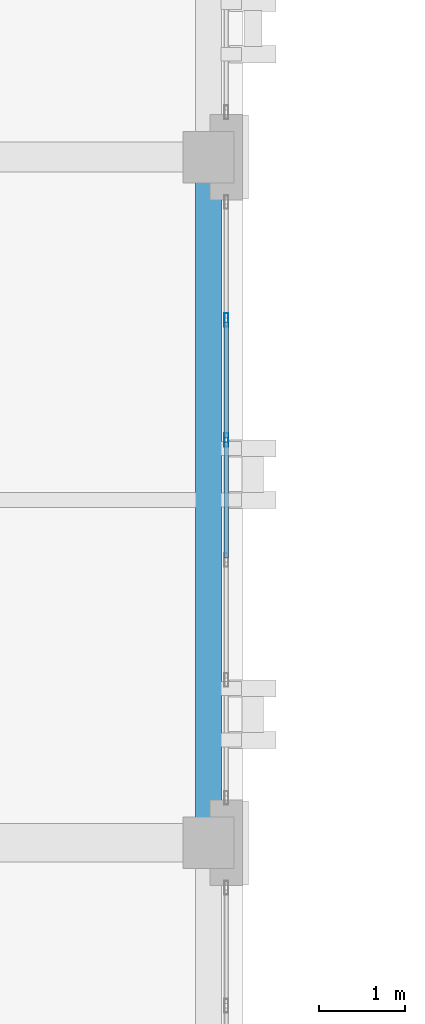
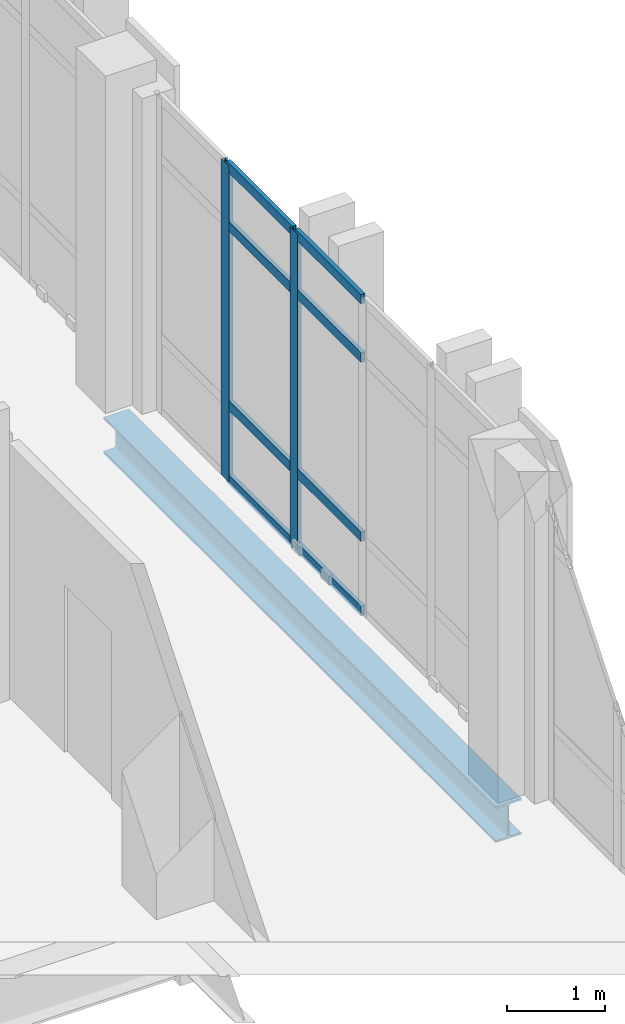
# One storey, part 16 of 90: 10 members, 1 beam, 1 element without a shape of its own.
"""IFC4 building model written with IfcOpenShell, lengths in metres."""

from ifc_helpers import new_model, si_unit, direction, frame, origin, origin_2d, place, context, subcontext, project, spatial, hollow_rectangle, i_section, extrude, material, layer, layer_set, material_profile, profile_set, type_object, element, aggregate, save


model = new_model("IFC4")

# Units and contexts
model_context = context("Model", 3, precision=1e-05, world=origin(), true_north=direction((0.0, 1.0)))
body_context = subcontext(model_context, "Body", "Model", "MODEL_VIEW")
ifc_project = project(units=[si_unit("LENGTHUNIT", "METRE"), si_unit("AREAUNIT", "SQUARE_METRE"), si_unit("VOLUMEUNIT", "CUBIC_METRE"), si_unit("PLANEANGLEUNIT", "RADIAN"), si_unit("MASSUNIT", "GRAM", prefix="KILO")], contexts=[model_context])

# Site, building, storey
site_placement = place(None, origin())
site = spatial("IfcSite", under=ifc_project, at=site_placement, CompositionType="ELEMENT")
building_placement = place(site_placement, origin())
building = spatial("IfcBuilding", under=site, at=building_placement, Name="Qalavern Law Courts", CompositionType="ELEMENT")
storey_placement = place(building_placement, frame((0.0, 0.0, 22.800048828125)))
storey = spatial("IfcBuildingStorey", under=building, at=storey_placement, Name="L05", CompositionType="ELEMENT", Elevation=22.800048828125)

# Curtain wall, members
ifc_material_1 = material(Name="Anodised aluminium and insulated glazing", Category="aluminium")
ifc_layer = layer(ifc_material_1, 0.159912109375)
ifc_layer_set = layer_set([ifc_layer], Name="Anodised aluminium and insulated glazing")
curtain_wall_type = type_object("IfcCurtainWallType", Name="ENV-CW-CHAMB", PredefinedType="USERDEFINED", material=ifc_layer_set)
curtain_wall_placement = place(storey_placement, origin())
curtain_wall = element("IfcCurtainWall", 1, at=curtain_wall_placement, inside=storey, type_object=curtain_wall_type, Name="V3 unitised curtain wall L05 east 4", ObjectType="UNITISED CURTAIN WALL", PredefinedType="USERDEFINED")
ifc_material_2 = material(Name="Anodised aluminium", Category="aluminium")
ifc_material_profile_1 = material_profile(ifc_material_2, hollow_rectangle(XDim=0.048095703125, YDim=0.159912109375, WallThickness=0.00390625, at=origin_2d()), Name="ALU MULLION 48x160")
ifc_profile_set_1 = profile_set([ifc_material_profile_1], Name="Anodised aluminium")
member_type_1 = type_object("IfcMemberType", Name="ENV-CWM-48x160", PredefinedType="MULLION", material=ifc_profile_set_1)
member_1_placement = place(storey_placement, frame((18.607421875, 70.10009765625, 0.0), z_axis=(0.0, 0.0, 1.0), x_axis=(-1.0, 0.0, 0.0)))
member_1 = element("IfcMember", 2, at=member_1_placement, type_object=member_type_1, Name="CW-04 mullion 4", PredefinedType="MULLION", context=body_context, shape_type="SweptSolid", body=[
    extrude(hollow_rectangle(XDim=0.048095703125, YDim=0.159912109375, WallThickness=0.00390625, at=origin_2d()), origin(), (0.0, 0.0, 1.0), 3.929931640625),
])
member_2_placement = place(storey_placement, frame((18.607421875, 71.5, 0.0), z_axis=(0.0, 0.0, 1.0), x_axis=(-1.0, 0.0, 0.0)))
member_2 = element("IfcMember", 3, at=member_2_placement, type_object=member_type_1, Name="CW-04 mullion 5", PredefinedType="MULLION", context=body_context, shape_type="SweptSolid", body=[
    extrude(hollow_rectangle(XDim=0.048095703125, YDim=0.159912109375, WallThickness=0.00390625, at=origin_2d()), origin(), (0.0, 0.0, 1.0), 3.929931640625),
])
ifc_material_profile_2 = material_profile(ifc_material_2, hollow_rectangle(XDim=0.048095703125, YDim=0.1201171875, WallThickness=0.00390625, at=origin_2d()), Name="ALU TRANSOM 48x120")
ifc_profile_set_2 = profile_set([ifc_material_profile_2], Name="Anodised aluminium")
member_type_2 = type_object("IfcMemberType", Name="ENV-CWT-48x120", PredefinedType="USERDEFINED", material=ifc_profile_set_2)
member_3_placement = place(storey_placement, frame((18.607421875, 68.72412109375, 0.02392578125), z_axis=(0.0, 1.0, 0.0), x_axis=(-1.0, 0.0, 0.0)))
member_3 = element("IfcMember", 4, at=member_3_placement, type_object=member_type_2, Name="CW-04 transom 3.1", ObjectType="TRANSOM", PredefinedType="USERDEFINED", context=body_context, shape_type="SweptSolid", body=[
    extrude(hollow_rectangle(XDim=0.048095703125, YDim=0.1201171875, WallThickness=0.00390625, at=origin_2d()), origin(), (0.0, 0.0, 1.0), 1.351806640625),
])
member_4_placement = place(storey_placement, frame((18.607421875, 68.72412109375, 0.949951171875), z_axis=(0.0, 1.0, 0.0), x_axis=(-1.0, 0.0, 0.0)))
member_4 = element("IfcMember", 5, at=member_4_placement, type_object=member_type_2, Name="CW-04 transom 3.2", ObjectType="TRANSOM", PredefinedType="USERDEFINED", context=body_context, shape_type="SweptSolid", body=[
    extrude(hollow_rectangle(XDim=0.048095703125, YDim=0.1201171875, WallThickness=0.00390625, at=origin_2d()), origin(), (0.0, 0.0, 1.0), 1.351806640625),
])
member_5_placement = place(storey_placement, frame((18.607421875, 68.72412109375, 3.179931640625), z_axis=(0.0, 1.0, 0.0), x_axis=(-1.0, 0.0, 0.0)))
member_5 = element("IfcMember", 6, at=member_5_placement, type_object=member_type_2, Name="CW-04 transom 3.3", ObjectType="TRANSOM", PredefinedType="USERDEFINED", context=body_context, shape_type="SweptSolid", body=[
    extrude(hollow_rectangle(XDim=0.048095703125, YDim=0.1201171875, WallThickness=0.00390625, at=origin_2d()), origin(), (0.0, 0.0, 1.0), 1.351806640625),
])
member_6_placement = place(storey_placement, frame((18.607421875, 68.72412109375, 3.906005859375), z_axis=(0.0, 1.0, 0.0), x_axis=(-1.0, 0.0, 0.0)))
member_6 = element("IfcMember", 7, at=member_6_placement, type_object=member_type_2, Name="CW-04 transom 3.4", ObjectType="TRANSOM", PredefinedType="USERDEFINED", context=body_context, shape_type="SweptSolid", body=[
    extrude(hollow_rectangle(XDim=0.048095703125, YDim=0.1201171875, WallThickness=0.00390625, at=origin_2d()), origin(), (0.0, 0.0, 1.0), 1.351806640625),
])
member_7_placement = place(storey_placement, frame((18.607421875, 70.1240234375, 0.02392578125), z_axis=(0.0, 1.0, 0.0), x_axis=(-1.0, 0.0, 0.0)))
member_7 = element("IfcMember", 8, at=member_7_placement, type_object=member_type_2, Name="CW-04 transom 4.1", ObjectType="TRANSOM", PredefinedType="USERDEFINED", context=body_context, shape_type="SweptSolid", body=[
    extrude(hollow_rectangle(XDim=0.048095703125, YDim=0.1201171875, WallThickness=0.00390625, at=origin_2d()), origin(), (0.0, 0.0, 1.0), 1.35205078125),
])
member_8_placement = place(storey_placement, frame((18.607421875, 70.1240234375, 0.949951171875), z_axis=(0.0, 1.0, 0.0), x_axis=(-1.0, 0.0, 0.0)))
member_8 = element("IfcMember", 9, at=member_8_placement, type_object=member_type_2, Name="CW-04 transom 4.2", ObjectType="TRANSOM", PredefinedType="USERDEFINED", context=body_context, shape_type="SweptSolid", body=[
    extrude(hollow_rectangle(XDim=0.048095703125, YDim=0.1201171875, WallThickness=0.00390625, at=origin_2d()), origin(), (0.0, 0.0, 1.0), 1.35205078125),
])
member_9_placement = place(storey_placement, frame((18.607421875, 70.1240234375, 3.179931640625), z_axis=(0.0, 1.0, 0.0), x_axis=(-1.0, 0.0, 0.0)))
member_9 = element("IfcMember", 10, at=member_9_placement, type_object=member_type_2, Name="CW-04 transom 4.3", ObjectType="TRANSOM", PredefinedType="USERDEFINED", context=body_context, shape_type="SweptSolid", body=[
    extrude(hollow_rectangle(XDim=0.048095703125, YDim=0.1201171875, WallThickness=0.00390625, at=origin_2d()), origin(), (0.0, 0.0, 1.0), 1.35205078125),
])
member_10_placement = place(storey_placement, frame((18.607421875, 70.1240234375, 3.906005859375), z_axis=(0.0, 1.0, 0.0), x_axis=(-1.0, 0.0, 0.0)))
member_10 = element("IfcMember", 11, at=member_10_placement, type_object=member_type_2, Name="CW-04 transom 4.4", ObjectType="TRANSOM", PredefinedType="USERDEFINED", context=body_context, shape_type="SweptSolid", body=[
    extrude(hollow_rectangle(XDim=0.048095703125, YDim=0.1201171875, WallThickness=0.00390625, at=origin_2d()), origin(), (0.0, 0.0, 1.0), 1.35205078125),
])
aggregate(curtain_wall, [member_1, member_2, member_3, member_4, member_5, member_6, member_7, member_8, member_9, member_10])

# Beam
ifc_material_3 = material(Name="Steel S355", Category="steel")
ifc_material_profile_3 = material_profile(ifc_material_3, i_section(OverallWidth=0.300048828125, OverallDepth=0.449951171875, WebThickness=0.013916015625, FlangeThickness=0.02587890625, FilletRadius=0.027099609375, at=origin_2d()), Name="HEB 450")
ifc_profile_set_3 = profile_set([ifc_material_profile_3], Name="Steel S355")
beam_type = type_object("IfcBeamType", Name="STR-SP-HEB450", PredefinedType="SPANDREL", material=ifc_profile_set_3)
beam_placement = place(storey_placement, frame((18.39990234375, 65.39990234375, -0.5), z_axis=(0.0, 1.0, 0.0), x_axis=(-1.0, 0.0, 0.0)))
element("IfcBeam", 12, at=beam_placement, inside=storey, type_object=beam_type, Name="V3 Y-beam 3-4 L05", PredefinedType="SPANDREL", context=body_context, shape_type="SweptSolid", body=[
    extrude(i_section(OverallWidth=0.300048828125, OverallDepth=0.449951171875, WebThickness=0.013916015625, FlangeThickness=0.02587890625, FilletRadius=0.027099609375, at=origin_2d()), origin(), (0.0, 0.0, 1.0), 8.0),
])

save(model, "model.ifc")
